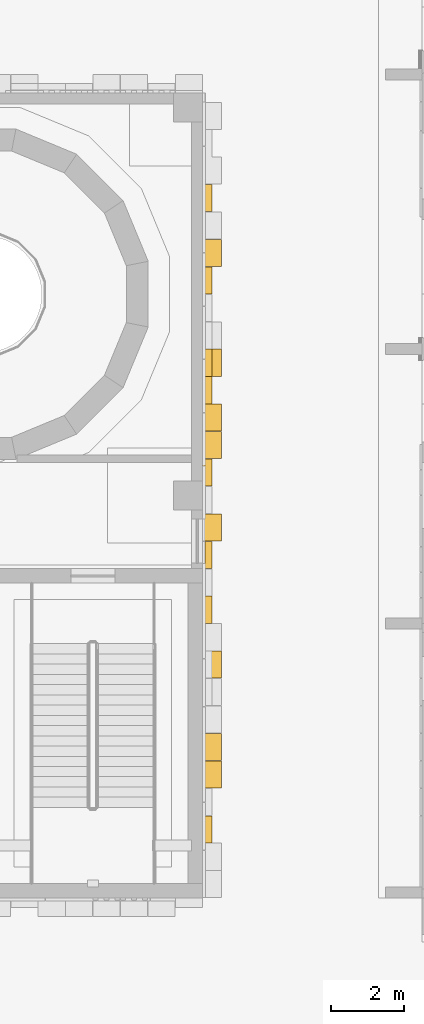
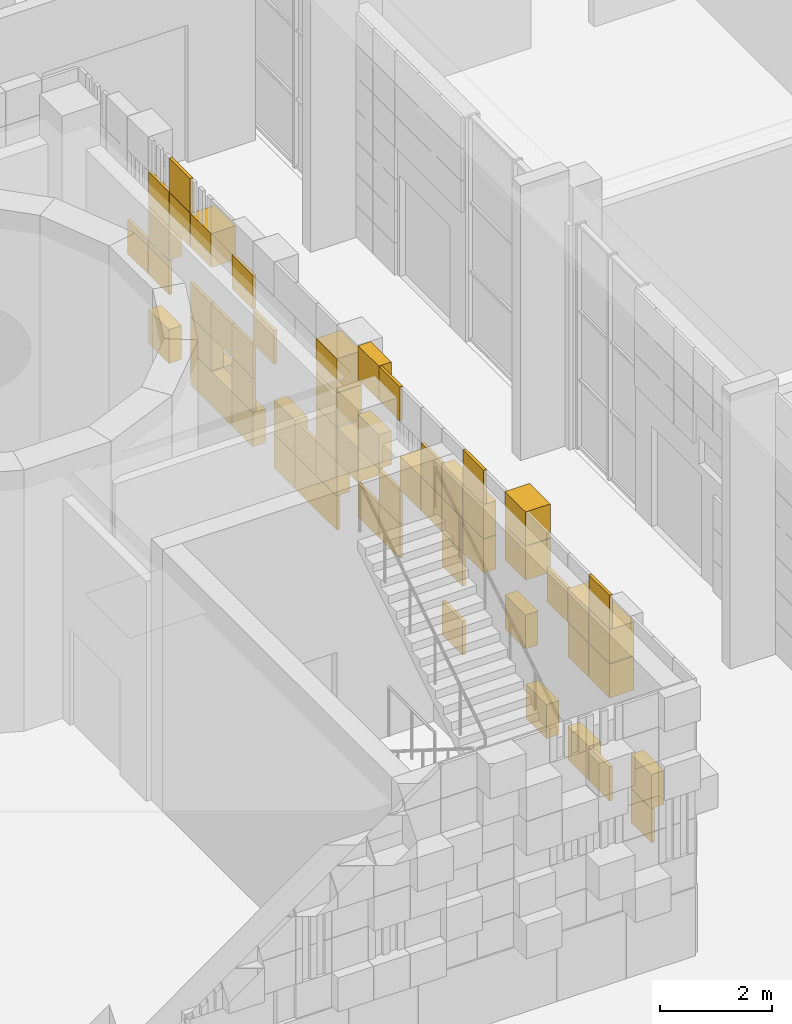
# One storey, part 100 of 125: 2 coverings.
"""IFC4 building model written with IfcOpenShell, lengths in metres."""

from ifc_helpers import new_model, si_unit, direction, frame, origin, origin_2d, place, context, subcontext, project, spatial, rectangle, extrude, material, layer, layer_set, type_object, element, save


model = new_model("IFC4")

# Units and contexts
model_context = context("Model", 3, precision=1e-05, world=origin(), true_north=direction((0.0, 1.0)))
body_context = subcontext(model_context, "Body", "Model", "MODEL_VIEW")
ifc_project = project(units=[si_unit("LENGTHUNIT", "METRE"), si_unit("AREAUNIT", "SQUARE_METRE"), si_unit("VOLUMEUNIT", "CUBIC_METRE"), si_unit("PLANEANGLEUNIT", "RADIAN"), si_unit("MASSUNIT", "GRAM", prefix="KILO")], contexts=[model_context])

# Site, building, storey
site_placement = place(None, origin())
site = spatial("IfcSite", under=ifc_project, at=site_placement, CompositionType="ELEMENT")
building_placement = place(site_placement, origin())
building = spatial("IfcBuilding", under=site, at=building_placement, Name="Sun Court Science Centre", CompositionType="ELEMENT")
storey_placement = place(building_placement, origin())
storey = spatial("IfcBuildingStorey", under=building, at=storey_placement, Name="L00", CompositionType="ELEMENT", Elevation=0.0)

# Coverings
ifc_material_1 = material(Name="Terracotta shade 2", Category="masonry")
ifc_layer_1 = layer(ifc_material_1, 0.06005859375)
ifc_layer_set_1 = layer_set([ifc_layer_1], Name="Terracotta shade 2")
covering_type_1 = type_object("IfcCoveringType", Name="Terracotta pixel panel shade 2", PredefinedType="CLADDING", material=ifc_layer_set_1)
covering_1_placement = place(storey_placement, origin())
element("IfcCovering", 1, at=covering_1_placement, inside=storey, type_object=covering_type_1, Name="Terracotta pixel cladding shade 2 east face L00", PredefinedType="CLADDING", context=body_context, shape_type="SweptSolid", body=[
    extrude(rectangle(XDim=0.739990234375, YDim=0.260009765625, at=origin_2d()), frame((72.1298828125, 25.125, 1.5048828125), z_axis=(0.0, 0.0, 1.0), x_axis=(0.0, -1.0, 0.0)), (0.0, 0.0, 1.0), 0.739990234375),
    extrude(rectangle(XDim=0.739990234375, YDim=0.260009765625, at=origin_2d()), frame((72.1298828125, 22.125, 1.5048828125), z_axis=(0.0, 0.0, 1.0), x_axis=(0.0, -1.0, 0.0)), (0.0, 0.0, 1.0), 0.739990234375),
    extrude(rectangle(XDim=0.739990234375, YDim=0.260009765625, at=origin_2d()), frame((72.1298828125, 19.875, 1.5048828125), z_axis=(0.0, 0.0, 1.0), x_axis=(0.0, -1.0, 0.0)), (0.0, 0.0, 1.0), 0.739990234375),
    extrude(rectangle(XDim=0.739990234375, YDim=0.06005859375, at=origin_2d()), frame((72.030029296875, 19.125, 1.5048828125), z_axis=(0.0, 0.0, 1.0), x_axis=(0.0, -1.0, 0.0)), (0.0, 0.0, 1.0), 0.739990234375),
    extrude(rectangle(XDim=0.739990234375, YDim=0.06005859375, at=origin_2d()), frame((72.030029296875, 14.625, 1.5048828125), z_axis=(0.0, 0.0, 1.0), x_axis=(0.0, -1.0, 0.0)), (0.0, 0.0, 1.0), 0.739990234375),
    extrude(rectangle(XDim=0.739990234375, YDim=0.260009765625, at=origin_2d()), frame((72.1298828125, 10.125, 1.5048828125), z_axis=(0.0, 0.0, 1.0), x_axis=(0.0, -1.0, 0.0)), (0.0, 0.0, 1.0), 0.739990234375),
    extrude(rectangle(XDim=0.739990234375, YDim=0.06005859375, at=origin_2d()), frame((72.030029296875, 9.375, 1.5048828125), z_axis=(0.0, 0.0, 1.0), x_axis=(0.0, -1.0, 0.0)), (0.0, 0.0, 1.0), 0.739990234375),
    extrude(rectangle(XDim=0.739990234375, YDim=0.260009765625, at=origin_2d()), frame((72.1298828125, 20.625, 2.2548828125), z_axis=(0.0, 0.0, 1.0), x_axis=(0.0, -1.0, 0.0)), (0.0, 0.0, 1.0), 0.739990234375),
    extrude(rectangle(XDim=0.739990234375, YDim=0.260009765625, at=origin_2d()), frame((72.1298828125, 19.125, 2.2548828125), z_axis=(0.0, 0.0, 1.0), x_axis=(0.0, -1.0, 0.0)), (0.0, 0.0, 1.0), 0.739990234375),
    extrude(rectangle(XDim=0.739990234375, YDim=0.06005859375, at=origin_2d()), frame((72.030029296875, 17.625, 2.2548828125), z_axis=(0.0, 0.0, 1.0), x_axis=(0.0, -1.0, 0.0)), (0.0, 0.0, 1.0), 0.739990234375),
    extrude(rectangle(XDim=0.739990234375, YDim=0.06005859375, at=origin_2d()), frame((72.030029296875, 22.875, 3.0048828125), z_axis=(0.0, 0.0, 1.0), x_axis=(0.0, -1.0, 0.0)), (0.0, 0.0, 1.0), 0.739990234375),
    extrude(rectangle(XDim=0.739990234375, YDim=0.06005859375, at=origin_2d()), frame((72.030029296875, 19.125, 3.0048828125), z_axis=(0.0, 0.0, 1.0), x_axis=(0.0, -1.0, 0.0)), (0.0, 0.0, 1.0), 0.739990234375),
    extrude(rectangle(XDim=0.739990234375, YDim=0.06005859375, at=origin_2d()), frame((72.030029296875, 16.875, 3.0048828125), z_axis=(0.0, 0.0, 1.0), x_axis=(0.0, -1.0, 0.0)), (0.0, 0.0, 1.0), 0.739990234375),
    extrude(rectangle(XDim=0.739990234375, YDim=0.06005859375, at=origin_2d()), frame((72.030029296875, 14.625, 3.0048828125), z_axis=(0.0, 0.0, 1.0), x_axis=(0.0, -1.0, 0.0)), (0.0, 0.0, 1.0), 0.739990234375),
    extrude(rectangle(XDim=0.739990234375, YDim=0.06005859375, at=origin_2d()), frame((72.030029296875, 21.375, 3.7548828125), z_axis=(0.0, 0.0, 1.0), x_axis=(0.0, -1.0, 0.0)), (0.0, 0.0, 1.0), 0.739990234375),
    extrude(rectangle(XDim=0.739990234375, YDim=0.510009765625, at=origin_2d()), frame((72.2548828125, 19.125, 3.7548828125), z_axis=(0.0, 0.0, 1.0), x_axis=(0.0, -1.0, 0.0)), (0.0, 0.0, 1.0), 0.739990234375),
    extrude(rectangle(XDim=0.739990234375, YDim=0.510009765625, at=origin_2d()), frame((72.2548828125, 16.125, 3.7548828125), z_axis=(0.0, 0.0, 1.0), x_axis=(0.0, -1.0, 0.0)), (0.0, 0.0, 1.0), 0.739990234375),
    extrude(rectangle(XDim=0.739990234375, YDim=0.06005859375, at=origin_2d()), frame((72.030029296875, 14.625, 3.7548828125), z_axis=(0.0, 0.0, 1.0), x_axis=(0.0, -1.0, 0.0)), (0.0, 0.0, 1.0), 0.739990234375),
    extrude(rectangle(XDim=0.739990234375, YDim=0.510009765625, at=origin_2d()), frame((72.2548828125, 23.625, 4.5048828125), z_axis=(0.0, 0.0, 1.0), x_axis=(0.0, -1.0, 0.0)), (0.0, 0.0, 1.0), 0.739990234375),
    extrude(rectangle(XDim=0.739990234375, YDim=0.06005859375, at=origin_2d()), frame((72.030029296875, 22.125, 4.5048828125), z_axis=(0.0, 0.0, 1.0), x_axis=(0.0, -1.0, 0.0)), (0.0, 0.0, 1.0), 0.739990234375),
    extrude(rectangle(XDim=0.739990234375, YDim=0.06005859375, at=origin_2d()), frame((72.030029296875, 15.375, 4.5048828125), z_axis=(0.0, 0.0, 1.0), x_axis=(0.0, -1.0, 0.0)), (0.0, 0.0, 1.0), 0.739990234375),
    extrude(rectangle(XDim=0.739990234375, YDim=0.260009765625, at=origin_2d()), frame((72.1298828125, 13.875, 4.5048828125), z_axis=(0.0, 0.0, 1.0), x_axis=(0.0, -1.0, 0.0)), (0.0, 0.0, 1.0), 0.739990234375),
    extrude(rectangle(XDim=0.739990234375, YDim=0.510009765625, at=origin_2d()), frame((72.2548828125, 12.375, 4.5048828125), z_axis=(0.0, 0.0, 1.0), x_axis=(0.0, -1.0, 0.0)), (0.0, 0.0, 1.0), 0.739990234375),
    extrude(rectangle(XDim=0.739990234375, YDim=0.06005859375, at=origin_2d()), frame((72.030029296875, 10.875, 4.5048828125), z_axis=(0.0, 0.0, 1.0), x_axis=(0.0, -1.0, 0.0)), (0.0, 0.0, 1.0), 0.739990234375),
    extrude(rectangle(XDim=0.739990234375, YDim=0.510009765625, at=origin_2d()), frame((72.2548828125, 10.125, 4.5048828125), z_axis=(0.0, 0.0, 1.0), x_axis=(0.0, -1.0, 0.0)), (0.0, 0.0, 1.0), 0.739990234375),
    extrude(rectangle(XDim=0.739990234375, YDim=0.510009765625, at=origin_2d()), frame((72.2548828125, 9.375, 4.5048828125), z_axis=(0.0, 0.0, 1.0), x_axis=(0.0, -1.0, 0.0)), (0.0, 0.0, 1.0), 0.739990234375),
    extrude(rectangle(XDim=0.739990234375, YDim=0.06005859375, at=origin_2d()), frame((72.030029296875, 24.375, 5.2548828125), z_axis=(0.0, 0.0, 1.0), x_axis=(0.0, -1.0, 0.0)), (0.0, 0.0, 1.0), 0.739990234375),
    extrude(rectangle(XDim=0.739990234375, YDim=0.06005859375, at=origin_2d()), frame((72.030029296875, 16.875, 5.2548828125), z_axis=(0.0, 0.0, 1.0), x_axis=(0.0, -1.0, 0.0)), (0.0, 0.0, 1.0), 0.739990234375),
    extrude(rectangle(XDim=0.739990234375, YDim=0.06005859375, at=origin_2d()), frame((72.030029296875, 13.875, 5.2548828125), z_axis=(0.0, 0.0, 1.0), x_axis=(0.0, -1.0, 0.0)), (0.0, 0.0, 1.0), 0.739990234375),
    extrude(rectangle(XDim=0.739990234375, YDim=0.260009765625, at=origin_2d()), frame((72.1298828125, 25.125, 3.7548828125), z_axis=(0.0, 0.0, 1.0), x_axis=(0.0, -1.0, 0.0)), (0.0, 0.0, 1.0), 0.739990234375),
    extrude(rectangle(XDim=0.739990234375, YDim=0.06005859375, at=origin_2d()), frame((72.030029296875, 25.125, 3.0048828125), z_axis=(0.0, 0.0, 1.0), x_axis=(0.0, -1.0, 0.0)), (0.0, 0.0, 1.0), 0.739990234375),
])
ifc_material_2 = material(Name="Terracotta shade 3", Category="masonry")
ifc_layer_2 = layer(ifc_material_2, 0.06005859375)
ifc_layer_set_2 = layer_set([ifc_layer_2], Name="Terracotta shade 3")
covering_type_2 = type_object("IfcCoveringType", Name="Terracotta pixel panel shade 3", PredefinedType="CLADDING", material=ifc_layer_set_2)
covering_2_placement = place(storey_placement, origin())
element("IfcCovering", 2, at=covering_2_placement, inside=storey, type_object=covering_type_2, Name="Terracotta pixel cladding shade 3 east face L00", PredefinedType="CLADDING", context=body_context, shape_type="SweptSolid", body=[
    extrude(rectangle(XDim=0.739990234375, YDim=0.510009765625, at=origin_2d()), frame((72.2548828125, 23.625, 1.5048828125), z_axis=(0.0, 0.0, 1.0), x_axis=(0.0, -1.0, 0.0)), (0.0, 0.0, 1.0), 0.739990234375),
    extrude(rectangle(XDim=0.739990234375, YDim=0.260009765625, at=origin_2d()), frame((72.1298828125, 22.875, 1.5048828125), z_axis=(0.0, 0.0, 1.0), x_axis=(0.0, -1.0, 0.0)), (0.0, 0.0, 1.0), 0.739990234375),
    extrude(rectangle(XDim=0.739990234375, YDim=0.510009765625, at=origin_2d()), frame((72.2548828125, 20.625, 1.5048828125), z_axis=(0.0, 0.0, 1.0), x_axis=(0.0, -1.0, 0.0)), (0.0, 0.0, 1.0), 0.739990234375),
    extrude(rectangle(XDim=0.739990234375, YDim=0.260009765625, at=origin_2d()), frame((72.1298828125, 11.625, 1.5048828125), z_axis=(0.0, 0.0, 1.0), x_axis=(0.0, -1.0, 0.0)), (0.0, 0.0, 1.0), 0.739990234375),
    extrude(rectangle(XDim=0.739990234375, YDim=0.260009765625, at=origin_2d()), frame((72.1298828125, 23.625, 2.2548828125), z_axis=(0.0, 0.0, 1.0), x_axis=(0.0, -1.0, 0.0)), (0.0, 0.0, 1.0), 0.739990234375),
    extrude(rectangle(XDim=0.739990234375, YDim=0.06005859375, at=origin_2d()), frame((72.030029296875, 22.125, 2.2548828125), z_axis=(0.0, 0.0, 1.0), x_axis=(0.0, -1.0, 0.0)), (0.0, 0.0, 1.0), 0.739990234375),
    extrude(rectangle(XDim=0.739990234375, YDim=0.06005859375, at=origin_2d()), frame((72.030029296875, 19.875, 2.2548828125), z_axis=(0.0, 0.0, 1.0), x_axis=(0.0, -1.0, 0.0)), (0.0, 0.0, 1.0), 0.739990234375),
    extrude(rectangle(XDim=0.739990234375, YDim=0.06005859375, at=origin_2d()), frame((72.030029296875, 16.875, 2.2548828125), z_axis=(0.0, 0.0, 1.0), x_axis=(0.0, -1.0, 0.0)), (0.0, 0.0, 1.0), 0.739990234375),
    extrude(rectangle(XDim=0.739990234375, YDim=0.260009765625, at=origin_2d()), frame((72.1298828125, 7.875, 2.2548828125), z_axis=(0.0, 0.0, 1.0), x_axis=(0.0, -1.0, 0.0)), (0.0, 0.0, 1.0), 0.739990234375),
    extrude(rectangle(XDim=0.739990234375, YDim=0.06005859375, at=origin_2d()), frame((72.030029296875, 25.875, 3.0048828125), z_axis=(0.0, 0.0, 1.0), x_axis=(0.0, -1.0, 0.0)), (0.0, 0.0, 1.0), 0.739990234375),
    extrude(rectangle(XDim=0.739990234375, YDim=0.06005859375, at=origin_2d()), frame((72.030029296875, 23.625, 3.0048828125), z_axis=(0.0, 0.0, 1.0), x_axis=(0.0, -1.0, 0.0)), (0.0, 0.0, 1.0), 0.739990234375),
    extrude(rectangle(XDim=0.739990234375, YDim=0.06005859375, at=origin_2d()), frame((72.030029296875, 22.125, 3.0048828125), z_axis=(0.0, 0.0, 1.0), x_axis=(0.0, -1.0, 0.0)), (0.0, 0.0, 1.0), 0.739990234375),
    extrude(rectangle(XDim=0.739990234375, YDim=0.510009765625, at=origin_2d()), frame((72.2548828125, 18.375, 3.0048828125), z_axis=(0.0, 0.0, 1.0), x_axis=(0.0, -1.0, 0.0)), (0.0, 0.0, 1.0), 0.739990234375),
    extrude(rectangle(XDim=0.739990234375, YDim=0.260009765625, at=origin_2d()), frame((72.1298828125, 12.375, 3.0048828125), z_axis=(0.0, 0.0, 1.0), x_axis=(0.0, -1.0, 0.0)), (0.0, 0.0, 1.0), 0.739990234375),
    extrude(rectangle(XDim=0.739990234375, YDim=0.260009765625, at=origin_2d()), frame((72.1298828125, 17.625, 3.7548828125), z_axis=(0.0, 0.0, 1.0), x_axis=(0.0, -1.0, 0.0)), (0.0, 0.0, 1.0), 0.739990234375),
    extrude(rectangle(XDim=0.739990234375, YDim=0.260009765625, at=origin_2d()), frame((72.1298828125, 15.375, 3.7548828125), z_axis=(0.0, 0.0, 1.0), x_axis=(0.0, -1.0, 0.0)), (0.0, 0.0, 1.0), 0.739990234375),
    extrude(rectangle(XDim=0.739990234375, YDim=0.260009765625, at=origin_2d()), frame((72.1298828125, 13.875, 3.7548828125), z_axis=(0.0, 0.0, 1.0), x_axis=(0.0, -1.0, 0.0)), (0.0, 0.0, 1.0), 0.739990234375),
    extrude(rectangle(XDim=0.739990234375, YDim=0.06005859375, at=origin_2d()), frame((72.030029296875, 10.125, 3.7548828125), z_axis=(0.0, 0.0, 1.0), x_axis=(0.0, -1.0, 0.0)), (0.0, 0.0, 1.0), 0.739990234375),
    extrude(rectangle(XDim=0.739990234375, YDim=0.510009765625, at=origin_2d()), frame((72.2548828125, 9.375, 3.7548828125), z_axis=(0.0, 0.0, 1.0), x_axis=(0.0, -1.0, 0.0)), (0.0, 0.0, 1.0), 0.739990234375),
    extrude(rectangle(XDim=0.739990234375, YDim=0.06005859375, at=origin_2d()), frame((72.030029296875, 25.125, 4.5048828125), z_axis=(0.0, 0.0, 1.0), x_axis=(0.0, -1.0, 0.0)), (0.0, 0.0, 1.0), 0.739990234375),
    extrude(rectangle(XDim=0.739990234375, YDim=0.06005859375, at=origin_2d()), frame((72.030029296875, 24.375, 4.5048828125), z_axis=(0.0, 0.0, 1.0), x_axis=(0.0, -1.0, 0.0)), (0.0, 0.0, 1.0), 0.739990234375),
    extrude(rectangle(XDim=0.739990234375, YDim=0.510009765625, at=origin_2d()), frame((72.2548828125, 19.125, 4.5048828125), z_axis=(0.0, 0.0, 1.0), x_axis=(0.0, -1.0, 0.0)), (0.0, 0.0, 1.0), 0.739990234375),
    extrude(rectangle(XDim=0.739990234375, YDim=0.260009765625, at=origin_2d()), frame((72.1298828125, 14.625, 4.5048828125), z_axis=(0.0, 0.0, 1.0), x_axis=(0.0, -1.0, 0.0)), (0.0, 0.0, 1.0), 0.739990234375),
    extrude(rectangle(XDim=0.739990234375, YDim=0.260009765625, at=origin_2d()), frame((72.1298828125, 17.625, 5.2548828125), z_axis=(0.0, 0.0, 1.0), x_axis=(0.0, -1.0, 0.0)), (0.0, 0.0, 1.0), 0.739990234375),
    extrude(rectangle(XDim=0.739990234375, YDim=0.510009765625, at=origin_2d()), frame((72.2548828125, 12.375, 5.2548828125), z_axis=(0.0, 0.0, 1.0), x_axis=(0.0, -1.0, 0.0)), (0.0, 0.0, 1.0), 0.739990234375),
    extrude(rectangle(XDim=0.739990234375, YDim=0.06005859375, at=origin_2d()), frame((72.030029296875, 9.375, 5.2548828125), z_axis=(0.0, 0.0, 1.0), x_axis=(0.0, -1.0, 0.0)), (0.0, 0.0, 1.0), 0.739990234375),
    extrude(rectangle(XDim=0.739990234375, YDim=0.06005859375, at=origin_2d()), frame((72.030029296875, 7.875, 1.5048828125), z_axis=(0.0, 0.0, 1.0), x_axis=(0.0, -1.0, 0.0)), (0.0, 0.0, 1.0), 0.739990234375),
])

save(model, "model.ifc")
